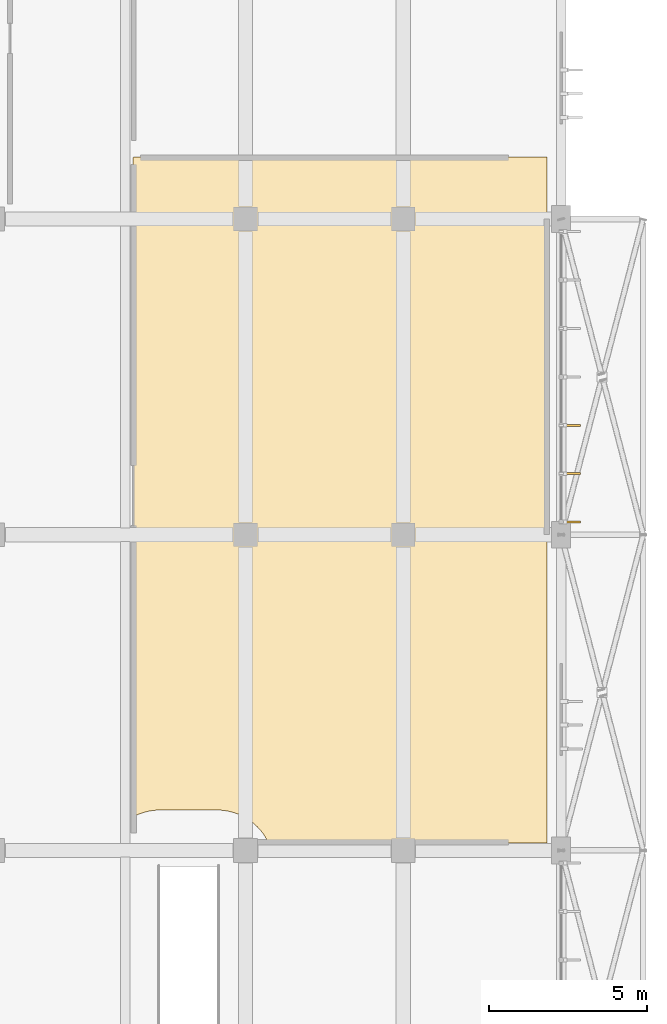
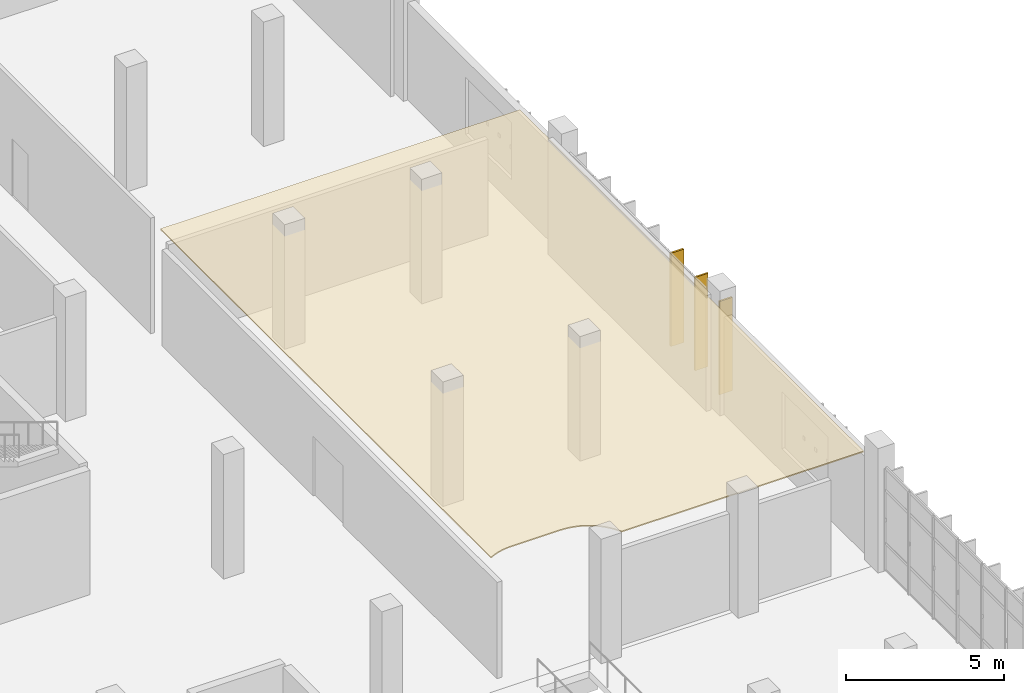
# One storey, part 170 of 179: 3 shading devices, 1 covering.
"""IFC4 building model written with IfcOpenShell, lengths in metres."""

from ifc_helpers import new_model, si_unit, direction, frame, origin, origin_2d, place, context, subcontext, project, spatial, polyline, rectangle, outline, extrude, material, layer, layer_set, type_object, element, save


model = new_model("IFC4")

# Units and contexts
model_context = context("Model", 3, precision=1e-05, world=origin(), true_north=direction((0.0, 1.0)))
body_context = subcontext(model_context, "Body", "Model", "MODEL_VIEW")
ifc_project = project(units=[si_unit("LENGTHUNIT", "METRE"), si_unit("AREAUNIT", "SQUARE_METRE"), si_unit("VOLUMEUNIT", "CUBIC_METRE"), si_unit("PLANEANGLEUNIT", "RADIAN"), si_unit("MASSUNIT", "GRAM", prefix="KILO")], contexts=[model_context])

# Site, building, storey
site_placement = place(None, origin())
site = spatial("IfcSite", under=ifc_project, at=site_placement, CompositionType="ELEMENT")
building_placement = place(site_placement, origin())
building = spatial("IfcBuilding", under=site, at=building_placement, Name="Corvandel Quay Wholesale Market", CompositionType="ELEMENT")
storey_placement = place(building_placement, frame((0.0, 0.0, 6.0)))
storey = spatial("IfcBuildingStorey", under=building, at=storey_placement, Name="L01", CompositionType="ELEMENT", Elevation=6.0)

# Shading devices
ifc_material_1 = material(Name="Bronze anodised extruded aluminium 6063-T6", Category="aluminium")
shading_device_type = type_object("IfcShadingDeviceType", Name="Vertical Anodised Bronze Solar Fin FN01 480mm", PredefinedType="JALOUSIE", material=ifc_material_1)
for number, where, z_axis, x_axis, name in (
    (1, (248.3798828125, 60.39990234375, 0.175048828125), (0.0, 0.0, 1.0), (1.0, 0.0, 0.0), "Solar Fin 0659"),
    (2, (248.3798828125, 61.933349609375, 0.175048828125), (0.0, 0.0, 1.0), (1.0, 0.0, 0.0), "Solar Fin 0660"),
    (3, (248.3798828125, 63.466796875, 0.175048828125), (0.0, 0.0, 1.0), (1.0, 0.0, 0.0), "Solar Fin 0661"),
):
    element("IfcShadingDevice", number, at=place(storey_placement, frame(where, z_axis=z_axis, x_axis=x_axis)), inside=storey, type_object=shading_device_type, Name=name, PredefinedType="JALOUSIE", context=body_context, shape_type="SweptSolid", body=[
        extrude(rectangle(XDim=0.47998046875, YDim=0.06494140625, at=origin_2d()), origin(), (0.0, 0.0, 1.0), 3.60009765625),
    ])

# Covering
ifc_material_2 = material(Name="Moisture-resistant washable PVC-faced gypsum board")
ifc_layer = layer(ifc_material_2, 0.0400390625)
ifc_layer_set = layer_set([ifc_layer], Name="Moisture-resistant washable PVC-faced gypsum board")
covering_type = type_object("IfcCoveringType", Name="Washable Hygienic Market Ceiling CLG02", PredefinedType="CEILING", material=ifc_layer_set)
covering_placement = place(storey_placement, frame((0.0, 0.0, 4.31005859375)))
element("IfcCovering", 4, at=covering_placement, inside=storey, type_object=covering_type, Name="Suspended Ceiling CLG-028", PredefinedType="CEILING", context=body_context, shape_type="SweptSolid", body=[
    extrude(outline(polyline([(234.43994140625, 71.93994140625), (234.43994140625, 71.94189453125), (234.43994140625, 71.944091796875), (234.44091796875, 71.946044921875), (234.44189453125, 71.947998046875), (234.44189453125, 71.948974609375), (234.443115234375, 71.950927734375), (234.445068359375, 71.952880859375), (234.446044921875, 71.9541015625), (234.447021484375, 71.955078125), (234.448974609375, 71.95703125), (234.450927734375, 71.9580078125), (234.451904296875, 71.9580078125), (234.4541015625, 71.958984375), (234.4560546875, 71.9599609375), (234.4580078125, 71.9599609375), (234.4599609375, 71.9599609375), (247.5400390625, 71.9599609375), (247.5419921875, 71.9599609375), (247.5439453125, 71.9599609375), (247.5458984375, 71.958984375), (247.548095703125, 71.9580078125), (247.549072265625, 71.9580078125), (247.551025390625, 71.95703125), (247.552978515625, 71.955078125), (247.553955078125, 71.9541015625), (247.554931640625, 71.952880859375), (247.556884765625, 71.950927734375), (247.55810546875, 71.948974609375), (247.55810546875, 71.947998046875), (247.55908203125, 71.946044921875), (247.56005859375, 71.944091796875), (247.56005859375, 71.94189453125), (247.56005859375, 71.93994140625), (247.56005859375, 50.260009765625), (247.56005859375, 50.258056640625), (247.56005859375, 50.256103515625), (247.55908203125, 50.25390625), (247.55810546875, 50.251953125), (247.55810546875, 50.2509765625), (247.556884765625, 50.2490234375), (247.554931640625, 50.2470703125), (247.553955078125, 50.24609375), (247.552978515625, 50.2451171875), (247.551025390625, 50.242919921875), (247.549072265625, 50.241943359375), (247.548095703125, 50.241943359375), (247.5458984375, 50.240966796875), (247.5439453125, 50.239990234375), (247.5419921875, 50.239990234375), (247.5400390625, 50.239990234375), (238.72900390625, 50.239990234375), (238.68701171875, 50.3291015625), (238.596923828125, 50.47998046875), (238.490966796875, 50.6220703125), (238.373046875, 50.7529296875), (238.241943359375, 50.87109375), (238.10009765625, 50.97705078125), (237.948974609375, 51.06689453125), (237.7890625, 51.14306640625), (237.623046875, 51.201904296875), (237.450927734375, 51.2451171875), (237.27587890625, 51.27099609375), (237.10009765625, 51.280029296875), (235.300048828125, 51.280029296875), (235.1240234375, 51.27099609375), (234.948974609375, 51.2451171875), (234.777099609375, 51.201904296875), (234.611083984375, 51.14306640625), (234.450927734375, 51.06689453125), (234.43994140625, 51.06103515625), (234.43994140625, 71.93994140625)])), origin(), (0.0, 0.0, 1.0), 0.044921875),
])

save(model, "model.ifc")
